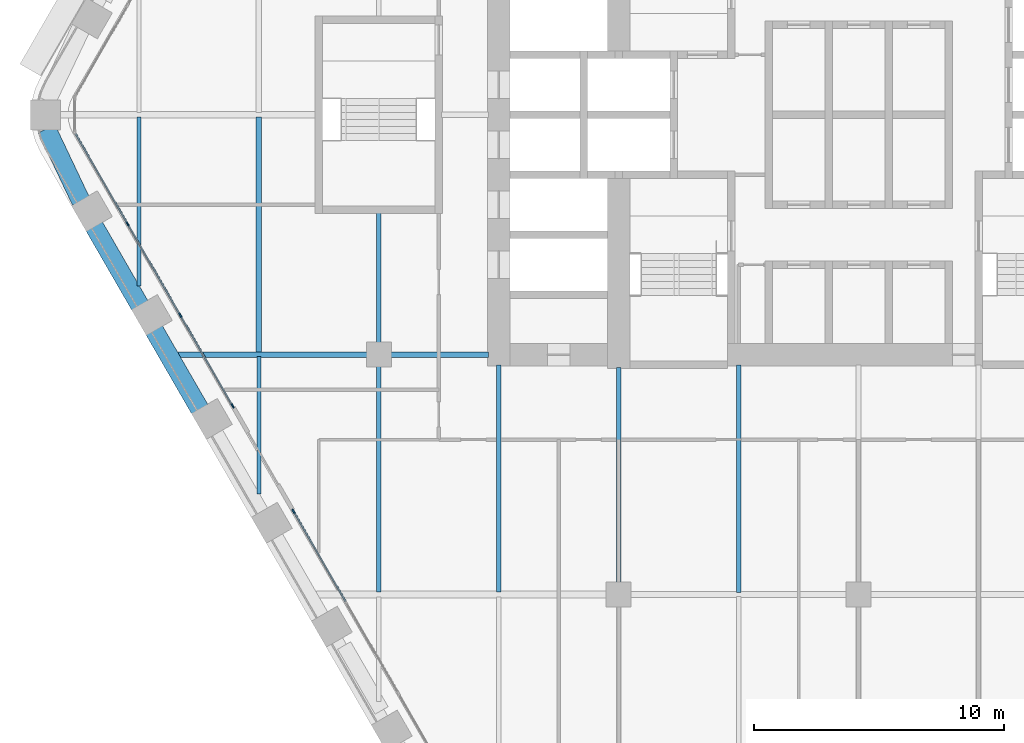
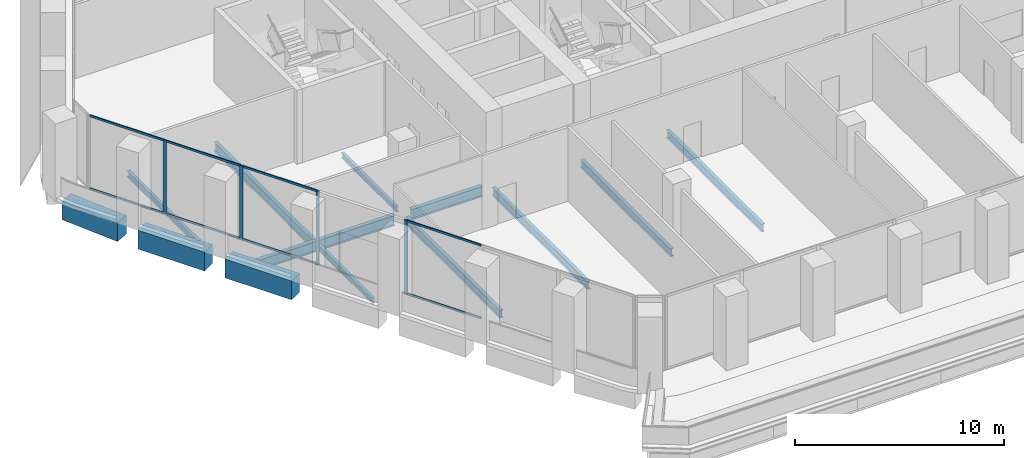
# One storey, part 3 of 25: 13 beams, 12 members, 2 elements without a shape of their own.
"""IFC4 building model written with IfcOpenShell, lengths in metres."""

from ifc_helpers import new_model, si_unit, direction, frame, origin, origin_2d, place, context, subcontext, project, spatial, rectangle, i_section, extrude, material, material_profile, profile_set, type_object, element, aggregate, save


model = new_model("IFC4")

# Units and contexts
model_context = context("Model", 3, precision=1e-05, world=origin(), true_north=direction((0.0, 1.0)))
body_context = subcontext(model_context, "Body", "Model", "MODEL_VIEW")
ifc_project = project(units=[si_unit("LENGTHUNIT", "METRE"), si_unit("AREAUNIT", "SQUARE_METRE"), si_unit("VOLUMEUNIT", "CUBIC_METRE"), si_unit("PLANEANGLEUNIT", "RADIAN"), si_unit("MASSUNIT", "GRAM", prefix="KILO")], contexts=[model_context])

# Site, building, storey
site_placement = place(None, origin())
site = spatial("IfcSite", under=ifc_project, at=site_placement, CompositionType="ELEMENT")
building_placement = place(site_placement, origin())
building = spatial("IfcBuilding", under=site, at=building_placement, Name="Kolab Exchange Tower", CompositionType="ELEMENT")
storey_placement = place(building_placement, frame((0.0, 0.0, 91.39990234375)))
storey = spatial("IfcBuildingStorey", under=building, at=storey_placement, Name="L17", CompositionType="ELEMENT", Elevation=91.39990234375)

# Beams
ifc_material_1 = material(Name="Steel S355", Category="steel")
ifc_material_profile_1 = material_profile(ifc_material_1, i_section(OverallWidth=0.1650390625, OverallDepth=0.31005859375, WebThickness=0.005859375, FlangeThickness=0.009765625, at=origin_2d()), Name="W310X39")
ifc_profile_set_1 = profile_set([ifc_material_profile_1], Name="Steel S355")
beam_type_1 = type_object("IfcBeamType", Name="FLOOR BEAM W310X39", PredefinedType="BEAM", material=ifc_profile_set_1)
beam_1_placement = place(storey_placement, frame((-24.0, -15.167724609375, -0.35498046875), z_axis=(0.0, 1.0, 0.0), x_axis=(-1.0, 0.0, 0.0)))
element("IfcBeam", 1, at=beam_1_placement, inside=storey, type_object=beam_type_1, Name="beam/L17/fr/002", PredefinedType="BEAM", context=body_context, shape_type="SweptSolid", body=[
    extrude(i_section(OverallWidth=0.1650390625, OverallDepth=0.31005859375, WebThickness=0.005859375, FlangeThickness=0.009765625, at=origin_2d()), origin(), (0.0, 0.0, 1.0), 5.49365234375),
])
beam_2_placement = place(storey_placement, frame((-19.199951171875, -9.139892578125, -0.35498046875), z_axis=(0.0, 1.0, 0.0), x_axis=(-1.0, 0.0, 0.0)))
element("IfcBeam", 2, at=beam_2_placement, inside=storey, type_object=beam_type_1, Name="beam/L17/fr/008", PredefinedType="BEAM", context=body_context, shape_type="SweptSolid", body=[
    extrude(i_section(OverallWidth=0.1650390625, OverallDepth=0.31005859375, WebThickness=0.005859375, FlangeThickness=0.009765625, at=origin_2d()), origin(), (0.0, 0.0, 1.0), 5.22998046875),
])
ifc_material_profile_2 = material_profile(ifc_material_1, i_section(OverallWidth=0.1708984375, OverallDepth=0.35498046875, WebThickness=0.007080078125, FlangeThickness=0.01171875, at=origin_2d()), Name="W360X51")
ifc_profile_set_2 = profile_set([ifc_material_profile_2], Name="Steel S355")
beam_type_2 = type_object("IfcBeamType", Name="FLOOR BEAM W360X51", PredefinedType="BEAM", material=ifc_profile_set_2)
beam_3_placement = place(storey_placement, frame((-28.800048828125, -6.853759765625, -0.37744140625), z_axis=(0.0, 1.0, 0.0), x_axis=(-1.0, 0.0, 0.0)))
element("IfcBeam", 3, at=beam_3_placement, inside=storey, type_object=beam_type_2, Name="beam/L17/fr/000", PredefinedType="BEAM", context=body_context, shape_type="SweptSolid", body=[
    extrude(i_section(OverallWidth=0.1708984375, OverallDepth=0.35498046875, WebThickness=0.007080078125, FlangeThickness=0.01171875, at=origin_2d()), origin(), (0.0, 0.0, 1.0), 6.766845703125),
])
ifc_material_profile_3 = material_profile(ifc_material_1, i_section(OverallWidth=0.18994140625, OverallDepth=0.45703125, WebThickness=0.009033203125, FlangeThickness=0.014404296875, at=origin_2d()), Name="W460X74")
ifc_profile_set_3 = profile_set([ifc_material_profile_3], Name="Steel S355")
beam_type_3 = type_object("IfcBeamType", Name="FLOOR BEAM W460X74", PredefinedType="BEAM", material=ifc_profile_set_3)
beam_4_placement = place(storey_placement, frame((-19.199951171875, -19.1064453125, -0.428466796875), z_axis=(0.0, 1.0, 0.0), x_axis=(-1.0, 0.0, 0.0)))
element("IfcBeam", 4, at=beam_4_placement, inside=storey, type_object=beam_type_3, Name="beam/L17/fr/007", PredefinedType="BEAM", context=body_context, shape_type="SweptSolid", body=[
    extrude(i_section(OverallWidth=0.18994140625, OverallDepth=0.45703125, WebThickness=0.009033203125, FlangeThickness=0.014404296875, at=origin_2d()), origin(), (0.0, 0.0, 1.0), 9.04638671875),
])
beam_5_placement = place(storey_placement, frame((-14.39990234375, -19.1064453125, -0.428466796875), z_axis=(0.0, 1.0, 0.0), x_axis=(-1.0, 0.0, 0.0)))
element("IfcBeam", 5, at=beam_5_placement, inside=storey, type_object=beam_type_3, Name="beam/L17/fr/013", PredefinedType="BEAM", context=body_context, shape_type="SweptSolid", body=[
    extrude(i_section(OverallWidth=0.18994140625, OverallDepth=0.45703125, WebThickness=0.009033203125, FlangeThickness=0.014404296875, at=origin_2d()), origin(), (0.0, 0.0, 1.0), 9.096435546875),
])
beam_6_placement = place(storey_placement, frame((-9.60009765625, -18.739990234375, -0.428466796875), z_axis=(0.0, 1.0, 0.0), x_axis=(-1.0, 0.0, 0.0)))
element("IfcBeam", 6, at=beam_6_placement, inside=storey, type_object=beam_type_3, Name="beam/L17/fr/017", PredefinedType="BEAM", context=body_context, shape_type="SweptSolid", body=[
    extrude(i_section(OverallWidth=0.18994140625, OverallDepth=0.45703125, WebThickness=0.009033203125, FlangeThickness=0.014404296875, at=origin_2d()), origin(), (0.0, 0.0, 1.0), 8.6298828125),
])
beam_7_placement = place(storey_placement, frame((-4.800048828125, -19.1259765625, -0.428466796875), z_axis=(0.0, 1.0, 0.0), x_axis=(-1.0, 0.0, 0.0)))
element("IfcBeam", 7, at=beam_7_placement, inside=storey, type_object=beam_type_3, Name="beam/L17/fr/021", PredefinedType="BEAM", context=body_context, shape_type="SweptSolid", body=[
    extrude(i_section(OverallWidth=0.18994140625, OverallDepth=0.45703125, WebThickness=0.009033203125, FlangeThickness=0.014404296875, at=origin_2d()), origin(), (0.0, 0.0, 1.0), 9.115966796875),
])
ifc_material_profile_4 = material_profile(ifc_material_1, i_section(OverallWidth=0.208984375, OverallDepth=0.532958984375, WebThickness=0.01025390625, FlangeThickness=0.015625, at=origin_2d()), Name="W530X92")
ifc_profile_set_4 = profile_set([ifc_material_profile_4], Name="Steel S355")
beam_type_4 = type_object("IfcBeamType", Name="FLOOR BEAM W530X92", PredefinedType="BEAM", material=ifc_profile_set_4)
beam_8_placement = place(storey_placement, frame((-24.0, -9.52587890625, -0.46630859375), z_axis=(0.0, 1.0, 0.0), x_axis=(-1.0, 0.0, 0.0)))
element("IfcBeam", 8, at=beam_8_placement, inside=storey, type_object=beam_type_4, Name="beam/L17/fr/003", PredefinedType="BEAM", context=body_context, shape_type="SweptSolid", body=[
    extrude(i_section(OverallWidth=0.208984375, OverallDepth=0.532958984375, WebThickness=0.01025390625, FlangeThickness=0.015625, at=origin_2d()), origin(), (0.0, 0.0, 1.0), 9.43896484375),
])
ifc_material_profile_5 = material_profile(ifc_material_1, i_section(OverallWidth=0.22802734375, OverallDepth=0.60791015625, WebThickness=0.01123046875, FlangeThickness=0.017333984375, at=origin_2d()), Name="W610X113")
ifc_profile_set_5 = profile_set([ifc_material_profile_5], Name="Steel S355")
beam_type_5 = type_object("IfcBeamType", Name="FLOOR GIRDER W610X113", PredefinedType="BEAM", material=ifc_profile_set_5)
beam_9_placement = place(storey_placement, frame((-27.2314453125, -9.60009765625, -0.50390625), z_axis=(1.0, 0.0, 0.0), x_axis=(0.0, 1.0, 0.0)))
element("IfcBeam", 9, at=beam_9_placement, inside=storey, type_object=beam_type_5, Name="beam/L17/gd/001", PredefinedType="BEAM", context=body_context, shape_type="SweptSolid", body=[
    extrude(i_section(OverallWidth=0.22802734375, OverallDepth=0.60791015625, WebThickness=0.01123046875, FlangeThickness=0.017333984375, at=origin_2d()), origin(), (0.0, 0.0, 1.0), 7.571533203125),
])
beam_10_placement = place(storey_placement, frame((-18.739990234375, -9.60009765625, -0.50390625), z_axis=(1.0, 0.0, 0.0), x_axis=(0.0, 1.0, 0.0)))
element("IfcBeam", 10, at=beam_10_placement, inside=storey, type_object=beam_type_5, Name="beam/L17/gd/005", PredefinedType="BEAM", context=body_context, shape_type="SweptSolid", body=[
    extrude(i_section(OverallWidth=0.22802734375, OverallDepth=0.60791015625, WebThickness=0.01123046875, FlangeThickness=0.017333984375, at=origin_2d()), origin(), (0.0, 0.0, 1.0), 3.929931640625),
])
ifc_material_2 = material(Name="Concrete C70/85", Category="concrete")
ifc_material_profile_6 = material_profile(ifc_material_2, rectangle(XDim=0.75, YDim=1.10009765625, at=origin_2d()), Name="RC750X1100")
ifc_profile_set_6 = profile_set([ifc_material_profile_6], Name="Concrete C70/85")
beam_type_6 = type_object("IfcBeamType", Name="SPANDREL BEAM 750X1100 C70/85", PredefinedType="BEAM", material=ifc_profile_set_6)
for number, where, z_axis, x_axis, name in (
    (11, (-26.355224609375, -11.79833984375, -0.75), (-0.500013413428, 0.866017659399, 0.0), (-0.866017659399, -0.500013413428, 0.0), "beam/L17/sp/F5-05"),
    (12, (-28.755126953125, -7.641357421875, -0.75), (-0.500013413428, 0.866017659399, 0.0), (-0.866017659399, -0.500013413428, 0.0), "beam/L17/sp/F5-06"),
):
    element("IfcBeam", number, at=place(storey_placement, frame(where, z_axis=z_axis, x_axis=x_axis)), inside=storey, type_object=beam_type_6, Name=name, PredefinedType="BEAM", context=body_context, shape_type="SweptSolid", body=[
        extrude(rectangle(XDim=0.75, YDim=1.10009765625, at=origin_2d()), origin(), (0.0, 0.0, 1.0), 3.68017578125),
    ])
beam_11_placement = place(storey_placement, frame((-31.116455078125, -3.4619140625, -0.75), z_axis=(-0.429041292193, 0.903284877319, 0.0), x_axis=(-0.903284877319, -0.429041292193, 0.0)))
element("IfcBeam", 13, at=beam_11_placement, inside=storey, type_object=beam_type_6, Name="beam/L17/sp/F5-07", PredefinedType="BEAM", context=body_context, shape_type="SweptSolid", body=[
    extrude(rectangle(XDim=0.75, YDim=1.10009765625, at=origin_2d()), origin(), (0.0, 0.0, 1.0), 3.208251953125),
])

# Curtain wall, member
ifc_material_3 = material(Name="Aluminium EN AW-6063 T6", Category="aluminium")
curtain_wall_type = type_object("IfcCurtainWallType", Name="UNITISED LOWER MID ZONE CURTAIN WALL", PredefinedType="NOTDEFINED", material=ifc_material_3)
curtain_wall_1_placement = place(storey_placement, origin())
curtain_wall_1 = element("IfcCurtainWall", 14, at=curtain_wall_1_placement, inside=storey, type_object=curtain_wall_type, Name="cw/L17/F5-1", PredefinedType="NOTDEFINED")
ifc_material_profile_7 = material_profile(ifc_material_3, rectangle(XDim=0.06005859375, YDim=0.179931640625, at=origin_2d()), Name="RECT 60X180")
ifc_profile_set_7 = profile_set([ifc_material_profile_7], Name="Aluminium EN AW-6063 T6")
member_type_1 = type_object("IfcMemberType", Name="UNITISED LOWER MID ZONE MULLION 60 X 180", PredefinedType="MULLION", material=ifc_profile_set_7)
member_1_placement = place(storey_placement, frame((-22.61669921875, -15.86376953125, 0.0), z_axis=(0.0, 0.0, 1.0), x_axis=(-0.866025393644, -0.500000017564, 0.0)))
member_1 = element("IfcMember", 15, at=member_1_placement, type_object=member_type_1, Name="CW2 mullion 4", PredefinedType="MULLION", context=body_context, shape_type="SweptSolid", body=[
    extrude(rectangle(XDim=0.06005859375, YDim=0.179931640625, at=origin_2d()), origin(), (0.0, 0.0, 1.0), 4.300048828125),
])

# Curtain wall, members
curtain_wall_2_placement = place(storey_placement, origin())
curtain_wall_2 = element("IfcCurtainWall", 16, at=curtain_wall_2_placement, inside=storey, type_object=curtain_wall_type, Name="cw/L17/F5-2", PredefinedType="NOTDEFINED")
member_2_placement = place(storey_placement, frame((-25.046630859375, -11.65478515625, 0.0), z_axis=(0.0, 0.0, 1.0), x_axis=(-0.866025427826, -0.499999958358, 0.0)))
member_2 = element("IfcMember", 17, at=member_2_placement, type_object=member_type_1, Name="CW2 mullion 1", PredefinedType="MULLION", context=body_context, shape_type="SweptSolid", body=[
    extrude(rectangle(XDim=0.06005859375, YDim=0.179931640625, at=origin_2d()), origin(), (0.0, 0.0, 1.0), 4.300048828125),
])
member_3_placement = place(storey_placement, frame((-27.14306640625, -8.02392578125, 0.0), z_axis=(0.0, 0.0, 1.0), x_axis=(-0.866025427826, -0.499999958358, 0.0)))
member_3 = element("IfcMember", 18, at=member_3_placement, type_object=member_type_1, Name="CW2 mullion 2", PredefinedType="MULLION", context=body_context, shape_type="SweptSolid", body=[
    extrude(rectangle(XDim=0.06005859375, YDim=0.179931640625, at=origin_2d()), origin(), (0.0, 0.0, 1.0), 4.300048828125),
])
member_4_placement = place(storey_placement, frame((-29.25439453125, -4.366943359375, 0.0), z_axis=(0.0, 0.0, 1.0), x_axis=(-0.866025427826, -0.499999958358, 0.0)))
member_4 = element("IfcMember", 19, at=member_4_placement, type_object=member_type_1, Name="CW2 mullion 3", PredefinedType="MULLION", context=body_context, shape_type="SweptSolid", body=[
    extrude(rectangle(XDim=0.06005859375, YDim=0.179931640625, at=origin_2d()), origin(), (0.0, 0.0, 1.0), 4.300048828125),
])

# Member
ifc_material_profile_8 = material_profile(ifc_material_3, rectangle(XDim=0.06005859375, YDim=0.1201171875, at=origin_2d()), Name="RECT 60X120")
ifc_profile_set_8 = profile_set([ifc_material_profile_8], Name="Aluminium EN AW-6063 T6")
member_type_2 = type_object("IfcMemberType", Name="UNITISED LOWER MID ZONE TRANSOM 60 X 120", PredefinedType="USERDEFINED", material=ifc_profile_set_8)
member_5_placement = place(storey_placement, frame((-20.535400390625, -19.46875, 0.030029296875), z_axis=(-0.499957688808, 0.866049830784, 0.0), x_axis=(-0.866049830784, -0.499957688808, 0.0)))
member_5 = element("IfcMember", 20, at=member_5_placement, type_object=member_type_2, Name="CW2 transom 3.1", ObjectType="TRANSOM", PredefinedType="USERDEFINED", context=body_context, shape_type="SweptSolid", body=[
    extrude(rectangle(XDim=0.06005859375, YDim=0.1201171875, at=origin_2d()), origin(), (0.0, 0.0, 1.0), 4.132568359375),
])

member_6_placement = place(storey_placement, frame((-20.535400390625, -19.46875, 4.27001953125), z_axis=(-0.499957688808, 0.866049830784, 0.0), x_axis=(-0.866049830784, -0.499957688808, 0.0)))
member_6 = element("IfcMember", 21, at=member_6_placement, type_object=member_type_2, Name="CW2 transom 3.2", ObjectType="TRANSOM", PredefinedType="USERDEFINED", context=body_context, shape_type="SweptSolid", body=[
    extrude(rectangle(XDim=0.06005859375, YDim=0.1201171875, at=origin_2d()), origin(), (0.0, 0.0, 1.0), 4.132568359375),
])

aggregate(curtain_wall_1, [member_1, member_5, member_6])

member_7_placement = place(storey_placement, frame((-25.061767578125, -11.62890625, 0.030029296875), z_axis=(-0.499957688808, 0.866049830784, 0.0), x_axis=(-0.866049830784, -0.499957688808, 0.0)))
member_7 = element("IfcMember", 22, at=member_7_placement, type_object=member_type_2, Name="CW2 transom 1.1", ObjectType="TRANSOM", PredefinedType="USERDEFINED", context=body_context, shape_type="SweptSolid", body=[
    extrude(rectangle(XDim=0.06005859375, YDim=0.1201171875, at=origin_2d()), origin(), (0.0, 0.0, 1.0), 4.132568359375),
])

member_8_placement = place(storey_placement, frame((-25.061767578125, -11.62890625, 4.27001953125), z_axis=(-0.499957688808, 0.866049830784, 0.0), x_axis=(-0.866049830784, -0.499957688808, 0.0)))
member_8 = element("IfcMember", 23, at=member_8_placement, type_object=member_type_2, Name="CW2 transom 1.2", ObjectType="TRANSOM", PredefinedType="USERDEFINED", context=body_context, shape_type="SweptSolid", body=[
    extrude(rectangle(XDim=0.06005859375, YDim=0.1201171875, at=origin_2d()), origin(), (0.0, 0.0, 1.0), 4.132568359375),
])

member_9_placement = place(storey_placement, frame((-27.157958984375, -7.997802734375, 0.030029296875), z_axis=(-0.49999322259, 0.866029316688, 0.0), x_axis=(-0.866029316688, -0.49999322259, 0.0)))
member_9 = element("IfcMember", 24, at=member_9_placement, type_object=member_type_2, Name="CW2 transom 2.1", ObjectType="TRANSOM", PredefinedType="USERDEFINED", context=body_context, shape_type="SweptSolid", body=[
    extrude(rectangle(XDim=0.06005859375, YDim=0.1201171875, at=origin_2d()), origin(), (0.0, 0.0, 1.0), 4.16259765625),
])

member_10_placement = place(storey_placement, frame((-27.157958984375, -7.997802734375, 4.27001953125), z_axis=(-0.49999322259, 0.866029316688, 0.0), x_axis=(-0.866029316688, -0.49999322259, 0.0)))
member_10 = element("IfcMember", 25, at=member_10_placement, type_object=member_type_2, Name="CW2 transom 2.2", ObjectType="TRANSOM", PredefinedType="USERDEFINED", context=body_context, shape_type="SweptSolid", body=[
    extrude(rectangle(XDim=0.06005859375, YDim=0.1201171875, at=origin_2d()), origin(), (0.0, 0.0, 1.0), 4.16259765625),
])

member_11_placement = place(storey_placement, frame((-29.269287109375, -4.3408203125, 0.030029296875), z_axis=(-0.500027577057, 0.866009481578, 0.0), x_axis=(-0.866009481578, -0.500027577057, 0.0)))
member_11 = element("IfcMember", 26, at=member_11_placement, type_object=member_type_2, Name="CW2 transom 3.1", ObjectType="TRANSOM", PredefinedType="USERDEFINED", context=body_context, shape_type="SweptSolid", body=[
    extrude(rectangle(XDim=0.06005859375, YDim=0.1201171875, at=origin_2d()), origin(), (0.0, 0.0, 1.0), 4.132568359375),
])

member_12_placement = place(storey_placement, frame((-29.269287109375, -4.3408203125, 4.27001953125), z_axis=(-0.500027577057, 0.866009481578, 0.0), x_axis=(-0.866009481578, -0.500027577057, 0.0)))
member_12 = element("IfcMember", 27, at=member_12_placement, type_object=member_type_2, Name="CW2 transom 3.2", ObjectType="TRANSOM", PredefinedType="USERDEFINED", context=body_context, shape_type="SweptSolid", body=[
    extrude(rectangle(XDim=0.06005859375, YDim=0.1201171875, at=origin_2d()), origin(), (0.0, 0.0, 1.0), 4.132568359375),
])

aggregate(curtain_wall_2, [member_2, member_3, member_4, member_7, member_8, member_9, member_10, member_11, member_12])

save(model, "model.ifc")
